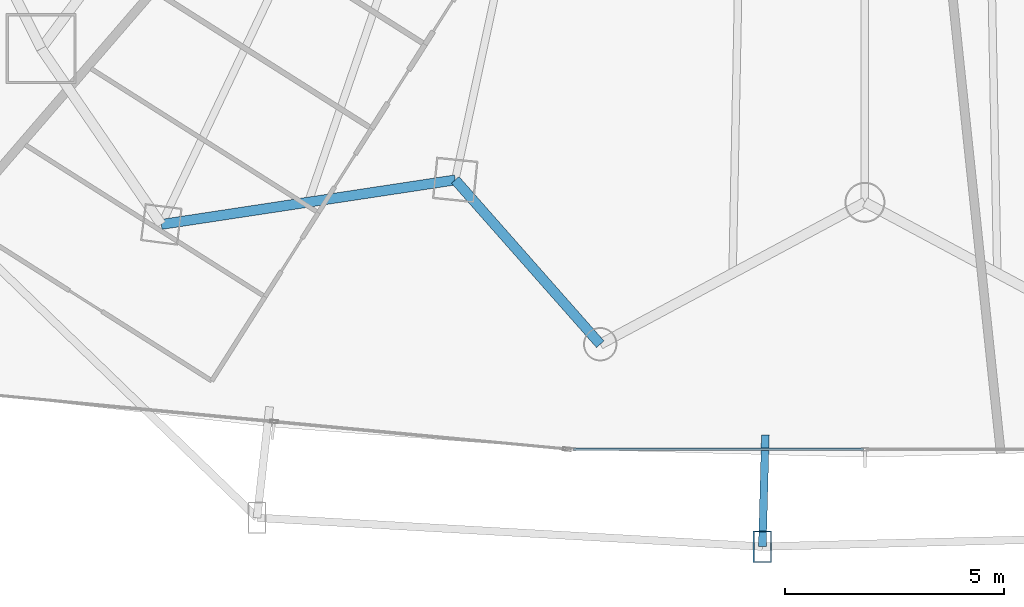
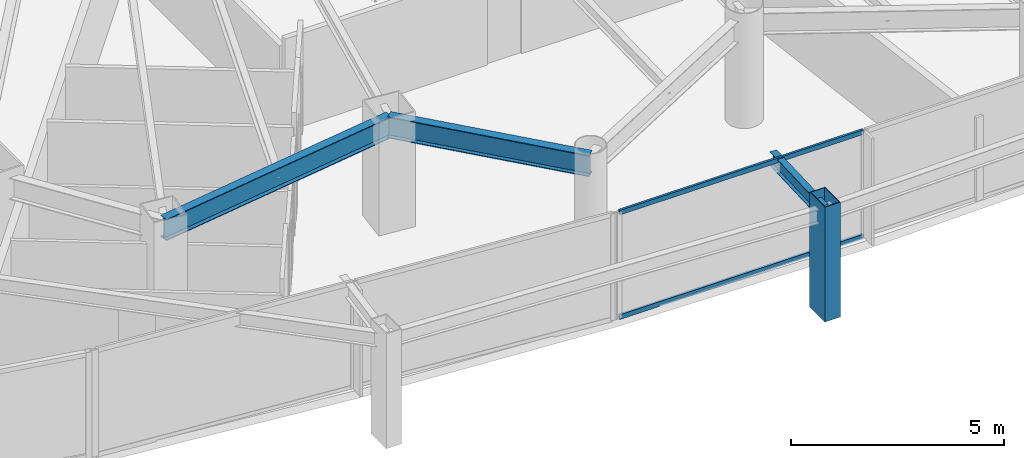
# One storey, part 7 of 35: 3 beams, 3 members, 1 element without a shape of its own.
"""IFC4 building model written with IfcOpenShell, lengths in metres."""

from ifc_helpers import new_model, si_unit, direction, frame, origin, origin_2d, place, context, subcontext, project, spatial, hollow_rectangle, i_section, extrude, material, layer, layer_set, material_profile, profile_set, type_object, element, aggregate, save


model = new_model("IFC4")

# Units and contexts
model_context = context("Model", 3, precision=1e-05, world=origin(), true_north=direction((0.0, 1.0)))
body_context = subcontext(model_context, "Body", "Model", "MODEL_VIEW")
ifc_project = project(units=[si_unit("LENGTHUNIT", "METRE"), si_unit("AREAUNIT", "SQUARE_METRE"), si_unit("VOLUMEUNIT", "CUBIC_METRE"), si_unit("PLANEANGLEUNIT", "RADIAN"), si_unit("MASSUNIT", "GRAM", prefix="KILO")], contexts=[model_context])

# Site, building, storey
site_placement = place(None, origin())
site = spatial("IfcSite", under=ifc_project, at=site_placement, CompositionType="ELEMENT")
building_placement = place(site_placement, origin())
building = spatial("IfcBuilding", under=site, at=building_placement, Name="Orvanel Arch Residences", CompositionType="ELEMENT")
storey_placement = place(building_placement, frame((0.0, 0.0, 26.89990234375)))
storey = spatial("IfcBuildingStorey", under=building, at=storey_placement, Name="L06", CompositionType="ELEMENT", Elevation=26.89990234375)

# Member
ifc_material_1 = material(Name="Structural steel AS/NZS 3678 Grade 350", Category="steel")
ifc_material_profile_1 = material_profile(ifc_material_1, hollow_rectangle(XDim=0.419921875, YDim=0.719970703125, WallThickness=0.02490234375, at=origin_2d()), Name="RHS720x420x25")
ifc_profile_set_1 = profile_set([ifc_material_profile_1], Name="Structural steel AS/NZS 3678 Grade 350")
member_type_1 = type_object("IfcMemberType", Name="CH-720RHS-EXT", PredefinedType="CHORD", material=ifc_profile_set_1)
member_1_placement = place(storey_placement, frame((30.658935546875, -1.013916015625, 0.0), z_axis=(0.0, 0.0, 1.0), x_axis=(1.0, 0.0, 0.0)))
element("IfcMember", 1, at=member_1_placement, inside=storey, type_object=member_type_1, Name="L06 Outer Perimeter Frame Post 06", PredefinedType="CHORD", context=body_context, shape_type="SweptSolid", body=[
    extrude(hollow_rectangle(XDim=0.419921875, YDim=0.719970703125, WallThickness=0.02490234375, at=origin_2d()), origin(), (0.0, 0.0, 1.0), 3.300048828125),
])

# Beams
ifc_material_2 = material(Name="Structural steel AS/NZS 3679.1 Grade 300 (300 MPa)", Category="steel")
ifc_material_profile_2 = material_profile(ifc_material_2, i_section(OverallWidth=0.177978515625, OverallDepth=0.406005859375, WebThickness=0.0078125, FlangeThickness=0.0126953125, at=origin_2d()), Name="410UB59.7")
ifc_profile_set_2 = profile_set([ifc_material_profile_2], Name="Structural steel AS/NZS 3679.1 Grade 300 (300 MPa)")
beam_type_1 = type_object("IfcBeamType", Name="OB-410UB-EXT", PredefinedType="SPANDREL", material=ifc_profile_set_2)
beam_1_placement = place(storey_placement, frame((30.72705078125, 1.534912109375, 2.857177734375), z_axis=(-0.026714600123, -0.999643101382, 0.0), x_axis=(0.999643101382, -0.026714600123, 0.0)))
element("IfcBeam", 2, at=beam_1_placement, inside=storey, type_object=beam_type_1, Name="L06 Outer Frame Radial Tie Beam 06", PredefinedType="SPANDREL", context=body_context, shape_type="SweptSolid", body=[
    extrude(i_section(OverallWidth=0.177978515625, OverallDepth=0.406005859375, WebThickness=0.0078125, FlangeThickness=0.0126953125, at=origin_2d()), origin(), (0.0, 0.0, 1.0), 2.5498046875),
])
ifc_material_profile_3 = material_profile(ifc_material_2, i_section(OverallWidth=0.22900390625, OverallDepth=0.612060546875, WebThickness=0.011962890625, FlangeThickness=0.01953125, at=origin_2d()), Name="610UB125")
ifc_profile_set_3 = profile_set([ifc_material_profile_3], Name="Structural steel AS/NZS 3679.1 Grade 300 (300 MPa)")
beam_type_2 = type_object("IfcBeamType", Name="SP-610UB", PredefinedType="SPANDREL", material=ifc_profile_set_3)
beam_2_placement = place(storey_placement, frame((16.94091796875, 6.339111328125, 2.754150390625), z_axis=(0.988726323014, 0.149733958002, 0.0), x_axis=(-0.149733958002, 0.988726323014, 0.0)))
element("IfcBeam", 3, at=beam_2_placement, inside=storey, type_object=beam_type_2, Name="L06 Perimeter Spandrel Beam 04", PredefinedType="SPANDREL", context=body_context, shape_type="SweptSolid", body=[
    extrude(i_section(OverallWidth=0.22900390625, OverallDepth=0.612060546875, WebThickness=0.011962890625, FlangeThickness=0.01953125, at=origin_2d()), origin(), (0.0, 0.0, 1.0), 6.784423828125),
])
beam_3_placement = place(storey_placement, frame((23.64892578125, 7.35498046875, 2.754150390625), z_axis=(0.661650698195, -0.749812212209, 0.0), x_axis=(0.749812212209, 0.661650698195, 0.0)))
element("IfcBeam", 4, at=beam_3_placement, inside=storey, type_object=beam_type_2, Name="L06 Perimeter Spandrel Beam 05", PredefinedType="SPANDREL", context=body_context, shape_type="SweptSolid", body=[
    extrude(i_section(OverallWidth=0.22900390625, OverallDepth=0.612060546875, WebThickness=0.011962890625, FlangeThickness=0.01953125, at=origin_2d()), origin(), (0.0, 0.0, 1.0), 5.001220703125),
])

# Curtain wall, members
ifc_material_3 = material(Name="Bronze-anodised aluminium AA6063-T6", Category="aluminium")
ifc_layer = layer(ifc_material_3, 0.179931640625)
ifc_layer_set = layer_set([ifc_layer], Name="Bronze-anodised aluminium AA6063-T6")
curtain_wall_type = type_object("IfcCurtainWallType", Name="CW2-LOW-SYS", PredefinedType="NOTDEFINED", material=ifc_layer_set)
curtain_wall_placement = place(storey_placement, origin())
curtain_wall = element("IfcCurtainWall", 5, at=curtain_wall_placement, inside=storey, type_object=curtain_wall_type, Name="L06 CW2-LOW-SYS Unitised Curtain Wall", PredefinedType="NOTDEFINED")
ifc_material_profile_4 = material_profile(ifc_material_3, hollow_rectangle(XDim=0.06005859375, YDim=0.135009765625, WallThickness=0.00390625, at=origin_2d()), Name="ALU135x60x4")
ifc_profile_set_4 = profile_set([ifc_material_profile_4], Name="Bronze-anodised aluminium AA6063-T6")
member_type_2 = type_object("IfcMemberType", Name="TRN-135x60", PredefinedType="USERDEFINED", material=ifc_profile_set_4)
member_2_placement = place(storey_placement, frame((26.345947265625, 1.2041015625, 0.030029296875), z_axis=(1.0, 0.0, 0.0), x_axis=(0.0, 1.0, 0.0)))
member_2 = element("IfcMember", 6, at=member_2_placement, type_object=member_type_2, Name="CW-S2 transom 1.1", ObjectType="TRANSOM", PredefinedType="USERDEFINED", context=body_context, shape_type="SweptSolid", body=[
    extrude(hollow_rectangle(XDim=0.06005859375, YDim=0.135009765625, WallThickness=0.00390625, at=origin_2d()), origin(), (0.0, 0.0, 1.0), 6.619140625),
])
member_3_placement = place(storey_placement, frame((26.345947265625, 1.2041015625, 3.030029296875), z_axis=(1.0, 0.0, 0.0), x_axis=(0.0, 1.0, 0.0)))
member_3 = element("IfcMember", 7, at=member_3_placement, type_object=member_type_2, Name="CW-S2 transom 1.2", ObjectType="TRANSOM", PredefinedType="USERDEFINED", context=body_context, shape_type="SweptSolid", body=[
    extrude(hollow_rectangle(XDim=0.06005859375, YDim=0.135009765625, WallThickness=0.00390625, at=origin_2d()), origin(), (0.0, 0.0, 1.0), 6.619140625),
])
aggregate(curtain_wall, [member_2, member_3])

save(model, "model.ifc")
